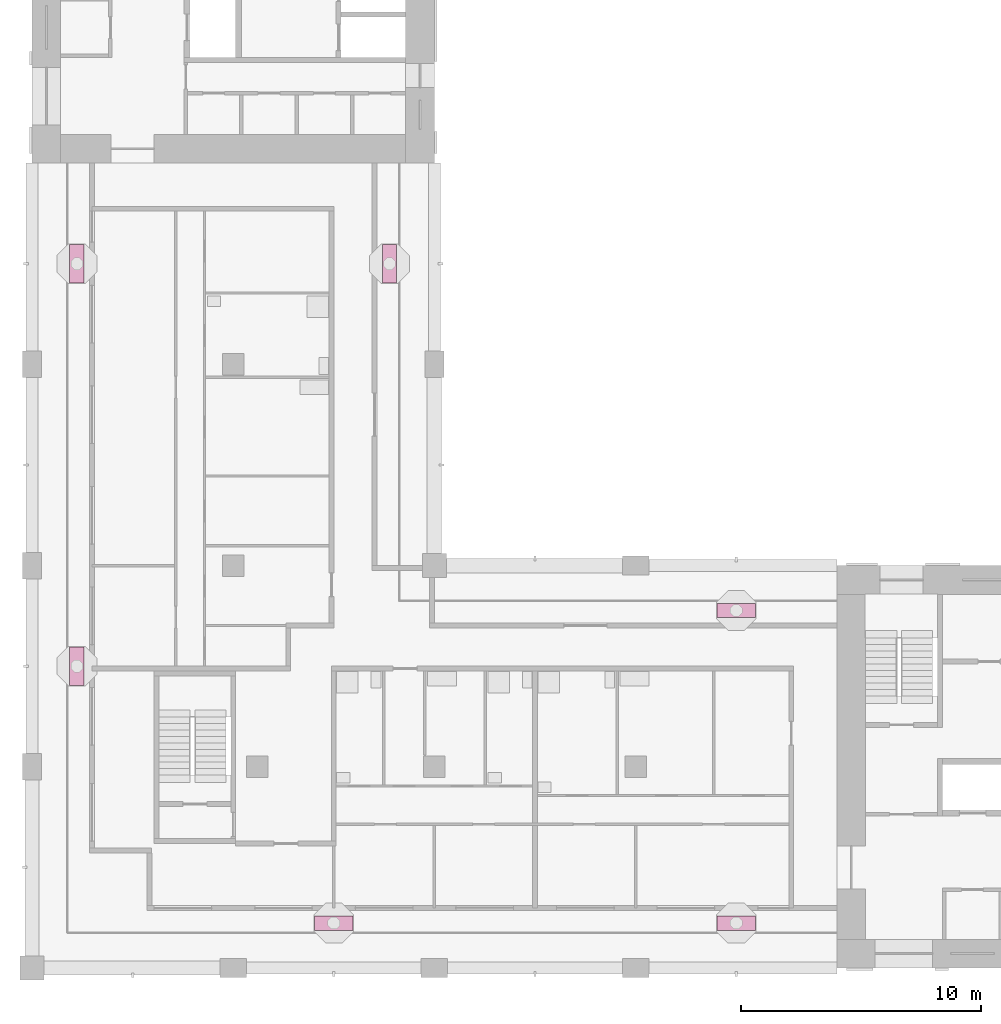
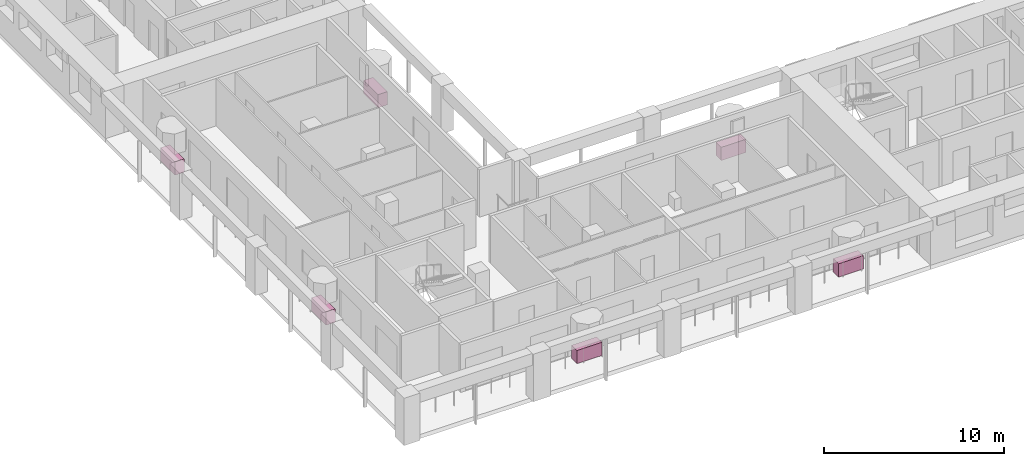
# One storey, part 11 of 12: 6 furniture elements.
"""IFC4 building model written with IfcOpenShell, lengths in metres."""

from ifc_helpers import new_model, si_unit, direction, frame, origin, origin_2d, place, context, subcontext, project, spatial, rectangle, extrude, material, element, save


model = new_model("IFC4")

# Units and contexts
model_context = context("Model", 3, precision=1e-05, world=origin(), true_north=direction((0.0, 1.0)))
body_context = subcontext(model_context, "Body", "Model", "MODEL_VIEW")
ifc_project = project(units=[si_unit("LENGTHUNIT", "METRE"), si_unit("AREAUNIT", "SQUARE_METRE"), si_unit("VOLUMEUNIT", "CUBIC_METRE"), si_unit("PLANEANGLEUNIT", "RADIAN"), si_unit("MASSUNIT", "GRAM", prefix="KILO")], contexts=[model_context])

# Site, building, storey
site_placement = place(None, origin())
site = spatial("IfcSite", under=ifc_project, at=site_placement, CompositionType="ELEMENT")
building_placement = place(site_placement, origin())
building = spatial("IfcBuilding", under=site, at=building_placement, Name="Vermilion Gate Residences", CompositionType="ELEMENT")
storey_placement = place(building_placement, frame((0.0, 0.0, 242.199951171875)))
storey = spatial("IfcBuildingStorey", under=building, at=storey_placement, Name="L63", CompositionType="ELEMENT", Elevation=242.199951171875)

# Furniture
ifc_material = material(Name="Terracotta planter", Category="masonry")
for number, where, z_axis, x_axis, name in (
    (1, (21.0, 10.27490234375, 0.0), (0.0, 0.0, 1.0), (1.0, 0.0, 0.0), "PLANTER"),
    (2, (37.800048828125, 10.27490234375, 0.0), (0.0, 0.0, 1.0), (1.0, 0.0, 0.0), "PLANTER"),
    (3, (37.800048828125, 23.324951171875, 0.0), (0.0, 0.0, 1.0), (-1.0, 0.0, 0.0), "PLANTER"),
    (4, (23.324951171875, 37.800048828125, 0.0), (0.0, 0.0, 1.0), (0.0, 1.0, 0.0), "PLANTER"),
    (5, (10.27490234375, 21.0, 0.0), (0.0, 0.0, 1.0), (0.0, -1.0, 0.0), "PLANTER"),
    (6, (10.27490234375, 37.800048828125, 0.0), (0.0, 0.0, 1.0), (0.0, -1.0, 0.0), "PLANTER"),
):
    element("IfcFurniture", number, at=place(storey_placement, frame(where, z_axis=z_axis, x_axis=x_axis)), inside=storey, material=ifc_material, Name=name, ObjectType="PLANTER", PredefinedType="USERDEFINED", context=body_context, shape_type="SweptSolid", body=[
        extrude(rectangle(XDim=1.60009765625, YDim=0.60009765625, at=origin_2d()), origin(), (0.0, 0.0, 1.0), 0.89990234375),
    ])

save(model, "model.ifc")
